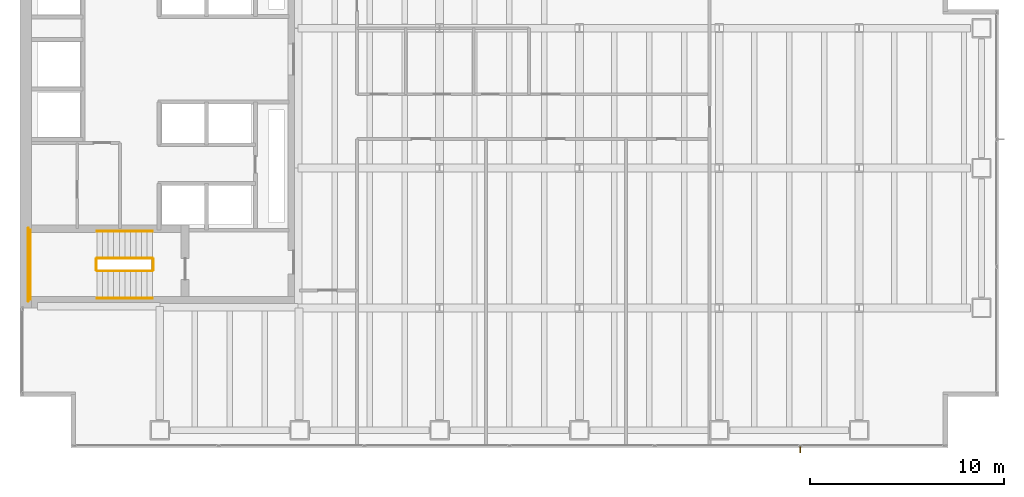
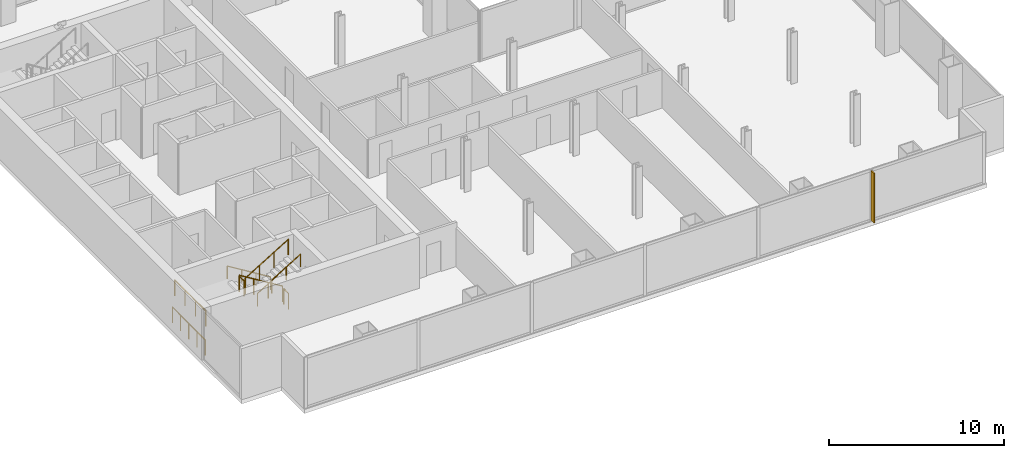
# One storey, part 23 of 25: 8 railings, 1 shading device.
"""IFC4 building model written with IfcOpenShell, lengths in metres."""

from ifc_helpers import new_model, si_unit, direction, frame, origin, origin_2d, place, context, subcontext, project, spatial, polyline, circle, outline, extrude, material, layer, layer_set, type_object, element, save


model = new_model("IFC4")

# Units and contexts
model_context = context("Model", 3, precision=1e-05, world=origin(), true_north=direction((0.0, 1.0)))
body_context = subcontext(model_context, "Body", "Model", "MODEL_VIEW")
ifc_project = project(units=[si_unit("LENGTHUNIT", "METRE"), si_unit("AREAUNIT", "SQUARE_METRE"), si_unit("VOLUMEUNIT", "CUBIC_METRE"), si_unit("PLANEANGLEUNIT", "RADIAN"), si_unit("MASSUNIT", "GRAM", prefix="KILO")], contexts=[model_context])

# Site, building, storey
site_placement = place(None, origin())
site = spatial("IfcSite", under=ifc_project, at=site_placement, CompositionType="ELEMENT")
building_placement = place(site_placement, origin())
building = spatial("IfcBuilding", under=site, at=building_placement, Name="Cobrela Telecom Tower", CompositionType="ELEMENT")
storey_placement = place(building_placement, frame((0.0, 0.0, 46.550048828125)))
storey = spatial("IfcBuildingStorey", under=building, at=storey_placement, Name="L11", CompositionType="ELEMENT", Elevation=46.550048828125)

# Railings
ifc_material_1 = material(Name="Steel ASTM A36", Category="steel")
railing_type_1 = type_object("IfcRailingType", Name="RAIL-GUARD-1100", PredefinedType="GUARDRAIL", material=ifc_material_1)
railing_1_placement = place(storey_placement, frame((6.820068359375, 9.75, 0.175048828125)))
element("IfcRailing", 1, at=railing_1_placement, inside=storey, type_object=railing_type_1, Name="L11 ST2 stair guard 1", PredefinedType="GUARDRAIL", context=body_context, shape_type="SweptSolid", body=[
    extrude(circle(Radius=0.02392578125, at=origin_2d()), frame((0.0, 0.0, 1.076171875), z_axis=(-0.852179220489, 0.0, 0.52325001306), x_axis=(0.0, -1.0, 0.0)), (0.0, 0.0, 1.0), 3.344482421875),
    extrude(circle(Radius=0.02099609375, at=origin_2d()), origin(), (0.0, 0.0, 1.0), 1.052001953125),
    extrude(circle(Radius=0.02099609375, at=origin_2d()), frame((-0.949951171875, 0.0, 0.583251953125)), (0.0, 0.0, 1.0), 1.052001953125),
    extrude(circle(Radius=0.02099609375, at=origin_2d()), frame((-1.900146484375, 0.0, 1.166748046875)), (0.0, 0.0, 1.0), 1.052001953125),
    extrude(circle(Radius=0.02099609375, at=origin_2d()), frame((-2.85009765625, 0.0, 1.75)), (0.0, 0.0, 1.0), 1.052001953125),
])
railing_2_placement = place(storey_placement, frame((3.919921875, 9.699951171875, 1.925048828125)))
element("IfcRailing", 2, at=railing_2_placement, inside=storey, type_object=railing_type_1, Name="L11 ST2 stair guard 2", PredefinedType="GUARDRAIL", context=body_context, shape_type="SweptSolid", body=[
    extrude(circle(Radius=0.02392578125, at=origin_2d()), frame((0.0, 0.0, 1.076171875), z_axis=(0.0, -1.0, 0.0), x_axis=(1.0, 0.0, 0.0)), (0.0, 0.0, 1.0), 0.550048828125),
    extrude(circle(Radius=0.02099609375, at=origin_2d()), origin(), (0.0, 0.0, 1.0), 1.052001953125),
    extrude(circle(Radius=0.02099609375, at=origin_2d()), frame((0.0, -0.550048828125, 0.0)), (0.0, 0.0, 1.0), 1.052001953125),
])
railing_3_placement = place(storey_placement, frame((0.530029296875, 11.199951171875, 1.925048828125)))
element("IfcRailing", 3, at=railing_3_placement, inside=storey, type_object=railing_type_1, Name="L11 ST2 stair guard 3", PredefinedType="GUARDRAIL", context=body_context, shape_type="SweptSolid", body=[
    extrude(circle(Radius=0.02392578125, at=origin_2d()), frame((0.0, 0.0, 1.076171875), z_axis=(0.0, -1.0, 0.0), x_axis=(1.0, 0.0, 0.0)), (0.0, 0.0, 1.0), 3.550048828125),
    extrude(circle(Radius=0.02099609375, at=origin_2d()), origin(), (0.0, 0.0, 1.0), 1.052001953125),
    extrude(circle(Radius=0.02099609375, at=origin_2d()), frame((0.0, -1.183349609375, 0.0)), (0.0, 0.0, 1.0), 1.052001953125),
    extrude(circle(Radius=0.02099609375, at=origin_2d()), frame((0.0, -2.36669921875, 0.0)), (0.0, 0.0, 1.0), 1.052001953125),
    extrude(circle(Radius=0.02099609375, at=origin_2d()), frame((0.0, -3.550048828125, 0.0)), (0.0, 0.0, 1.0), 1.052001953125),
])
railing_4_placement = place(storey_placement, frame((3.969970703125, 9.10009765625, 2.099853515625)))
element("IfcRailing", 4, at=railing_4_placement, inside=storey, type_object=railing_type_1, Name="L11 ST2 stair guard 4", PredefinedType="GUARDRAIL", context=body_context, shape_type="SweptSolid", body=[
    extrude(circle(Radius=0.02392578125, at=origin_2d()), frame((0.0, 0.0, 1.076171875), z_axis=(0.852179220489, 0.0, 0.52325001306), x_axis=(0.0, 1.0, 0.0)), (0.0, 0.0, 1.0), 3.344482421875),
    extrude(circle(Radius=0.02099609375, at=origin_2d()), origin(), (0.0, 0.0, 1.0), 1.052001953125),
    extrude(circle(Radius=0.02099609375, at=origin_2d()), frame((0.949951171875, 0.0, 0.583251953125)), (0.0, 0.0, 1.0), 1.052001953125),
    extrude(circle(Radius=0.02099609375, at=origin_2d()), frame((1.900146484375, 0.0, 1.166748046875)), (0.0, 0.0, 1.0), 1.052001953125),
    extrude(circle(Radius=0.02099609375, at=origin_2d()), frame((2.85009765625, 0.0, 1.75)), (0.0, 0.0, 1.0), 1.052001953125),
])
railing_5_placement = place(storey_placement, frame((6.8701171875, 9.699951171875, 0.0)))
element("IfcRailing", 5, at=railing_5_placement, inside=storey, type_object=railing_type_1, Name="L11 ST2 stair guard 5", PredefinedType="GUARDRAIL", context=body_context, shape_type="SweptSolid", body=[
    extrude(circle(Radius=0.02392578125, at=origin_2d()), frame((0.0, 0.0, 1.076171875), z_axis=(0.0, -1.0, 0.0), x_axis=(1.0, 0.0, 0.0)), (0.0, 0.0, 1.0), 0.550048828125),
    extrude(circle(Radius=0.02099609375, at=origin_2d()), origin(), (0.0, 0.0, 1.0), 1.052001953125),
    extrude(circle(Radius=0.02099609375, at=origin_2d()), frame((0.0, -0.550048828125, 0.0)), (0.0, 0.0, 1.0), 1.052001953125),
])
railing_6_placement = place(storey_placement, frame((0.429931640625, 11.300048828125, 0.0)))
element("IfcRailing", 6, at=railing_6_placement, inside=storey, type_object=railing_type_1, Name="L11 ST2 stair guard 6", PredefinedType="GUARDRAIL", context=body_context, shape_type="SweptSolid", body=[
    extrude(circle(Radius=0.02392578125, at=origin_2d()), frame((0.0, 0.0, 1.076171875), z_axis=(0.0, -1.0, 0.0), x_axis=(1.0, 0.0, 0.0)), (0.0, 0.0, 1.0), 3.75),
    extrude(circle(Radius=0.02099609375, at=origin_2d()), origin(), (0.0, 0.0, 1.0), 1.052001953125),
    extrude(circle(Radius=0.02099609375, at=origin_2d()), frame((0.0, -0.9375, 0.0)), (0.0, 0.0, 1.0), 1.052001953125),
    extrude(circle(Radius=0.02099609375, at=origin_2d()), frame((0.0, -1.875, 0.0)), (0.0, 0.0, 1.0), 1.052001953125),
    extrude(circle(Radius=0.02099609375, at=origin_2d()), frame((0.0, -2.8125, 0.0)), (0.0, 0.0, 1.0), 1.052001953125),
    extrude(circle(Radius=0.02099609375, at=origin_2d()), frame((0.0, -3.75, 0.0)), (0.0, 0.0, 1.0), 1.052001953125),
])
railing_type_2 = type_object("IfcRailingType", Name="RAIL-HAND-920", PredefinedType="HANDRAIL", material=ifc_material_1)
railing_7_placement = place(storey_placement, frame((6.820068359375, 11.14990234375, 0.175048828125)))
element("IfcRailing", 7, at=railing_7_placement, inside=storey, type_object=railing_type_2, Name="L11 ST2 stair handrail 1", PredefinedType="HANDRAIL", context=body_context, shape_type="SweptSolid", body=[
    extrude(circle(Radius=0.02392578125, at=origin_2d()), frame((0.0, 0.0, 0.8759765625), z_axis=(-0.852179220489, 0.0, 0.52325001306), x_axis=(0.0, -1.0, 0.0)), (0.0, 0.0, 1.0), 3.344482421875),
    extrude(circle(Radius=0.02099609375, at=origin_2d()), origin(), (0.0, 0.0, 1.0), 0.851806640625),
    extrude(circle(Radius=0.02099609375, at=origin_2d()), frame((-0.949951171875, 0.0, 0.583251953125)), (0.0, 0.0, 1.0), 0.851806640625),
    extrude(circle(Radius=0.02099609375, at=origin_2d()), frame((-1.900146484375, 0.0, 1.166748046875)), (0.0, 0.0, 1.0), 0.851806640625),
    extrude(circle(Radius=0.02099609375, at=origin_2d()), frame((-2.85009765625, 0.0, 1.75)), (0.0, 0.0, 1.0), 0.851806640625),
])
railing_8_placement = place(storey_placement, frame((3.969970703125, 7.699951171875, 2.099853515625)))
element("IfcRailing", 8, at=railing_8_placement, inside=storey, type_object=railing_type_2, Name="L11 ST2 stair handrail 2", PredefinedType="HANDRAIL", context=body_context, shape_type="SweptSolid", body=[
    extrude(circle(Radius=0.02392578125, at=origin_2d()), frame((0.0, 0.0, 0.8759765625), z_axis=(0.852179220489, 0.0, 0.52325001306), x_axis=(0.0, 1.0, 0.0)), (0.0, 0.0, 1.0), 3.344482421875),
    extrude(circle(Radius=0.02099609375, at=origin_2d()), origin(), (0.0, 0.0, 1.0), 0.851806640625),
    extrude(circle(Radius=0.02099609375, at=origin_2d()), frame((0.949951171875, 0.0, 0.583251953125)), (0.0, 0.0, 1.0), 0.851806640625),
    extrude(circle(Radius=0.02099609375, at=origin_2d()), frame((1.900146484375, 0.0, 1.166748046875)), (0.0, 0.0, 1.0), 0.851806640625),
    extrude(circle(Radius=0.02099609375, at=origin_2d()), frame((2.85009765625, 0.0, 1.75)), (0.0, 0.0, 1.0), 0.851806640625),
])

# Shading device
ifc_material_2 = material(Name="Anodized Bronze Aluminium 6063-T6", Category="aluminium")
ifc_layer = layer(ifc_material_2, 0.06005859375)
ifc_layer_set = layer_set([ifc_layer], Name="Anodized Bronze Aluminium 6063-T6")
shading_device_type = type_object("IfcShadingDeviceType", Name="SHD-FIN-BRZ", PredefinedType="USERDEFINED", material=ifc_layer_set)
shading_device_placement = place(storey_placement, frame((0.0, 0.0, 0.050048828125)))
element("IfcShadingDevice", 9, at=shading_device_placement, inside=storey, type_object=shading_device_type, Name="L11 Anodized Bronze Solar Fin 20", ObjectType="SUNSHADE", PredefinedType="USERDEFINED", context=body_context, shape_type="SweptSolid", body=[
    extrude(outline(polyline([(40.19677734375, 0.080078125), (40.13671875, 0.080078125), (40.13671875, -0.260009765625), (40.19677734375, -0.260009765625), (40.19677734375, 0.080078125)])), origin(), (0.0, 0.0, 1.0), 3.469970703125),
])

save(model, "model.ifc")
